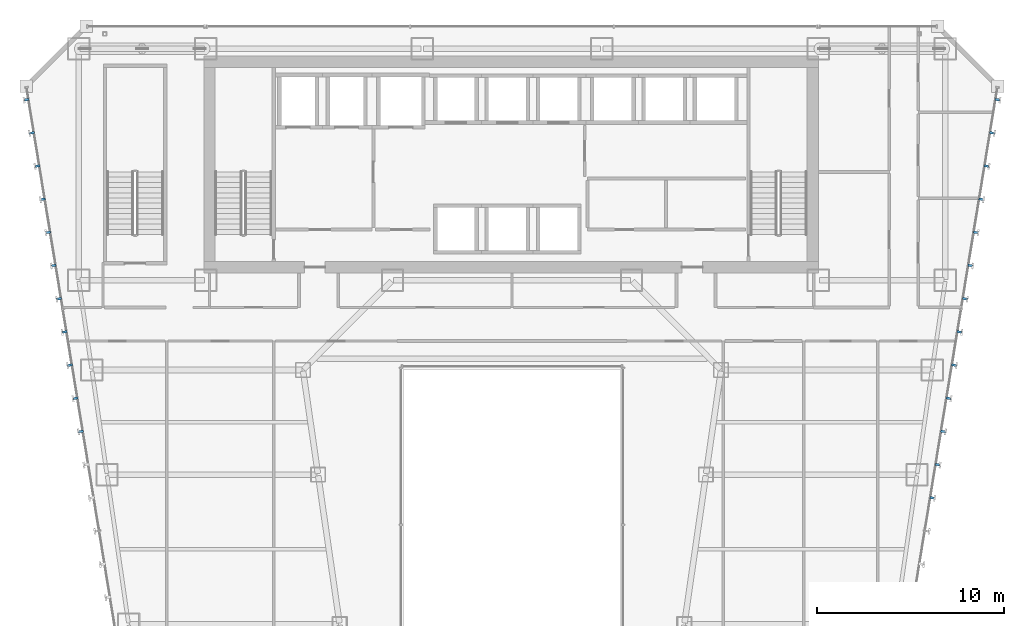
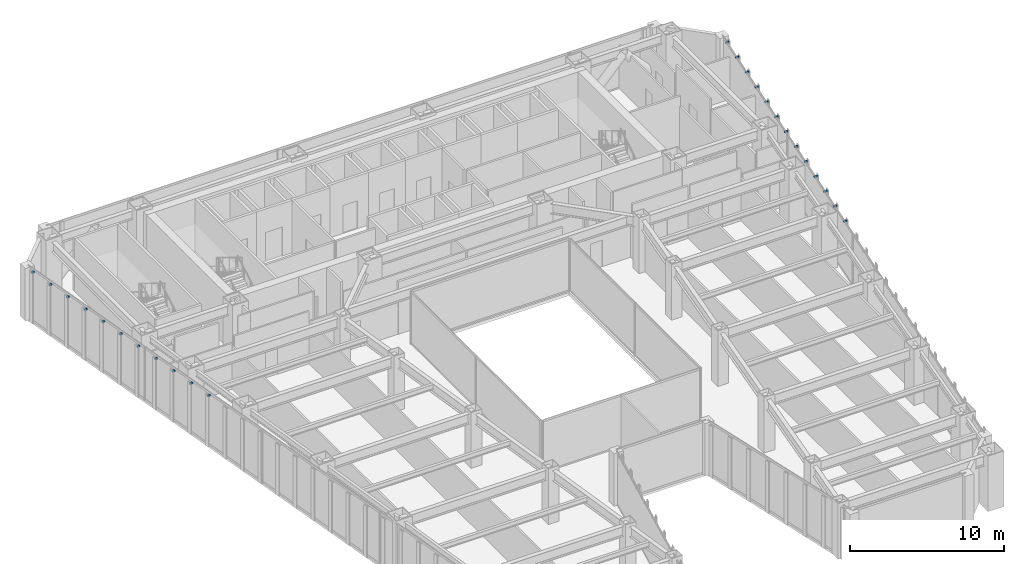
# One storey, part 40 of 47: 24 discrete accessories.
"""IFC4 building model written with IfcOpenShell, lengths in metres."""

from ifc_helpers import new_model, si_unit, direction, frame, origin, origin_2d, place, context, subcontext, project, spatial, rectangle, extrude, material, layer, layer_set, type_object, element, save


model = new_model("IFC4")

# Units and contexts
model_context = context("Model", 3, precision=1e-05, world=origin(), true_north=direction((0.0, 1.0)))
body_context = subcontext(model_context, "Body", "Model", "MODEL_VIEW")
ifc_project = project(units=[si_unit("LENGTHUNIT", "METRE"), si_unit("AREAUNIT", "SQUARE_METRE"), si_unit("VOLUMEUNIT", "CUBIC_METRE"), si_unit("PLANEANGLEUNIT", "RADIAN"), si_unit("MASSUNIT", "GRAM", prefix="KILO")], contexts=[model_context])

# Site, building, storey
site_placement = place(None, origin())
site = spatial("IfcSite", under=ifc_project, at=site_placement, CompositionType="ELEMENT")
building_placement = place(site_placement, origin())
building = spatial("IfcBuilding", under=site, at=building_placement, Name="Saevonmaru Cultural Tower", CompositionType="ELEMENT")
storey_placement = place(building_placement, frame((0.0, 0.0, 92.800048828125)))
storey = spatial("IfcBuildingStorey", under=building, at=storey_placement, Name="L19", CompositionType="ELEMENT", Elevation=92.800048828125)

# Discrete accessories
ifc_material = material(Name="Stainless Steel 316", Category="steel")
ifc_layer = layer(ifc_material, 0.1201171875, Name="Stainless Steel 316")
ifc_layer_set = layer_set([ifc_layer], Name="Stainless Steel 316")
discrete_accessory_type = type_object("IfcDiscreteAccessoryType", Name="ACC-FIN-BRKT", PredefinedType="BRACKET", material=ifc_layer_set)
for number, where, z_axis, x_axis, name in (
    (1, (52.49951171875, 30.758544921875, 3.929931640625), (0.0, 0.0, 1.0), (0.986827496189, -0.161776057456, 0.0), "L19 Bronze Fin Bracket E8-15"),
    (2, (52.790771484375, 32.534912109375, 3.929931640625), (0.0, 0.0, 1.0), (0.986827496189, -0.161776057456, 0.0), "L19 Bronze Fin Bracket E8-16"),
    (3, (53.081787109375, 34.31103515625, 3.929931640625), (0.0, 0.0, 1.0), (0.986827496189, -0.161776057456, 0.0), "L19 Bronze Fin Bracket E8-17"),
    (4, (53.372802734375, 36.08740234375, 3.929931640625), (0.0, 0.0, 1.0), (0.986827496189, -0.161776057456, 0.0), "L19 Bronze Fin Bracket E8-18"),
    (5, (53.663818359375, 37.86376953125, 3.929931640625), (0.0, 0.0, 1.0), (0.986827496189, -0.161776057456, 0.0), "L19 Bronze Fin Bracket E8-19"),
    (6, (53.955078125, 39.64013671875, 3.929931640625), (0.0, 0.0, 1.0), (0.986827496189, -0.161776057456, 0.0), "L19 Bronze Fin Bracket E8-20"),
    (7, (54.24609375, 41.41650390625, 3.929931640625), (0.0, 0.0, 1.0), (0.986827496189, -0.161776057456, 0.0), "L19 Bronze Fin Bracket E8-21"),
    (8, (54.537109375, 43.192626953125, 3.929931640625), (0.0, 0.0, 1.0), (0.986827496189, -0.161776057456, 0.0), "L19 Bronze Fin Bracket E8-22"),
    (9, (54.828125, 44.968994140625, 3.929931640625), (0.0, 0.0, 1.0), (0.986827496189, -0.161776057456, 0.0), "L19 Bronze Fin Bracket E8-23"),
    (10, (55.119384765625, 46.745361328125, 3.929931640625), (0.0, 0.0, 1.0), (0.986827496189, -0.161776057456, 0.0), "L19 Bronze Fin Bracket E8-24"),
    (11, (55.410400390625, 48.521484375, 3.929931640625), (0.0, 0.0, 1.0), (0.986827496189, -0.161776057456, 0.0), "L19 Bronze Fin Bracket E8-25"),
    (12, (55.701416015625, 50.2978515625, 3.929931640625), (0.0, 0.0, 1.0), (0.986827496189, -0.161776057456, 0.0), "L19 Bronze Fin Bracket E8-26"),
    (13, (55.992431640625, 52.07421875, 3.929931640625), (0.0, 0.0, 1.0), (0.986827496189, -0.161776057456, 0.0), "L19 Bronze Fin Bracket E8-27"),
    (14, (4.007568359375, 52.07421875, 3.929931640625), (0.0, 0.0, 1.0), (-0.986827496189, -0.161776057456, 0.0), "L19 Bronze Fin Bracket E12-01"),
    (15, (4.298583984375, 50.2978515625, 3.929931640625), (0.0, 0.0, 1.0), (-0.986827496189, -0.161776057456, 0.0), "L19 Bronze Fin Bracket E12-02"),
    (16, (4.589599609375, 48.521484375, 3.929931640625), (0.0, 0.0, 1.0), (-0.986827496189, -0.161776057456, 0.0), "L19 Bronze Fin Bracket E12-03"),
    (17, (4.880615234375, 46.745361328125, 3.929931640625), (0.0, 0.0, 1.0), (-0.986827496189, -0.161776057456, 0.0), "L19 Bronze Fin Bracket E12-04"),
    (18, (5.171875, 44.968994140625, 3.929931640625), (0.0, 0.0, 1.0), (-0.986827496189, -0.161776057456, 0.0), "L19 Bronze Fin Bracket E12-05"),
    (19, (5.462890625, 43.192626953125, 3.929931640625), (0.0, 0.0, 1.0), (-0.986827496189, -0.161776057456, 0.0), "L19 Bronze Fin Bracket E12-06"),
    (20, (5.75390625, 41.41650390625, 3.929931640625), (0.0, 0.0, 1.0), (-0.986827496189, -0.161776057456, 0.0), "L19 Bronze Fin Bracket E12-07"),
    (21, (6.044921875, 39.64013671875, 3.929931640625), (0.0, 0.0, 1.0), (-0.986827496189, -0.161776057456, 0.0), "L19 Bronze Fin Bracket E12-08"),
    (22, (6.336181640625, 37.86376953125, 3.929931640625), (0.0, 0.0, 1.0), (-0.986827496189, -0.161776057456, 0.0), "L19 Bronze Fin Bracket E12-09"),
    (23, (6.627197265625, 36.08740234375, 3.929931640625), (0.0, 0.0, 1.0), (-0.986827496189, -0.161776057456, 0.0), "L19 Bronze Fin Bracket E12-10"),
    (24, (6.918212890625, 34.31103515625, 3.929931640625), (0.0, 0.0, 1.0), (-0.986827496189, -0.161776057456, 0.0), "L19 Bronze Fin Bracket E12-11"),
):
    element("IfcDiscreteAccessory", number, at=place(storey_placement, frame(where, z_axis=z_axis, x_axis=x_axis)), inside=storey, type_object=discrete_accessory_type, Name=name, PredefinedType="BRACKET", context=body_context, shape_type="SweptSolid", body=[
        extrude(rectangle(XDim=0.260009765625, YDim=0.1201171875, at=origin_2d()), origin(), (0.0, 0.0, 1.0), 0.1201171875),
    ])

save(model, "model.ifc")
